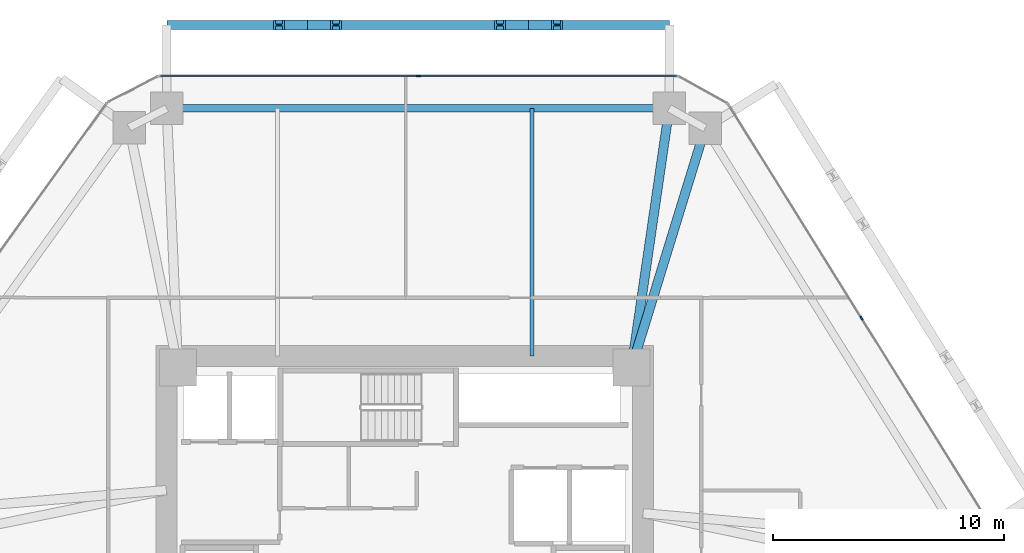
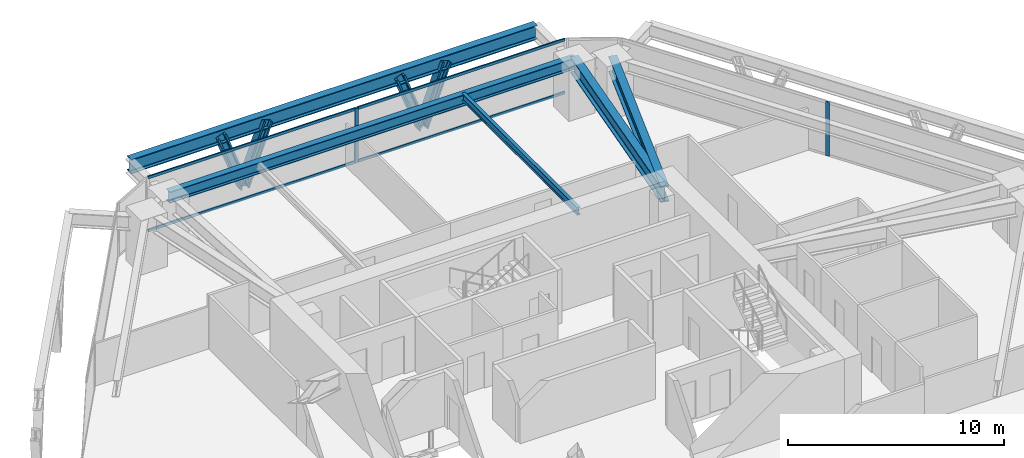
# One storey, part 8 of 14: 10 members, 5 beams, 2 elements without a shape of their own.
"""IFC4 building model written with IfcOpenShell, lengths in metres."""

import ifcopenshell
import ifcopenshell.guid

model = None  # the IFC model being written
_history = None  # IfcOwnerHistory: only IFC2X3 demands one
_inside = {}  # id of a spatial element -> (the spatial element, [elements in it])
_under = {}  # id of a project, library or spatial element -> (it, [spatial elements below it])
_declared = {}  # id of a project -> (the project, [libraries it declares])
_typed = {}  # id of a type object -> (the type object, [elements of that type])
_made_of = {}  # id of a material, layer set ... -> (it, [elements and type objects made of it])


def new_model(schema):
    """Start an empty IFC model of exactly this schema.

    Asked for "IFC4X3", IfcOpenShell would pick the latest addendum, in which some entities
    have other attributes; the version numbers below select the first issue.
    IFC2X3 requires an IfcOwnerHistory on every rooted entity: one is made here for all.
    """
    global model, _history
    if schema == "IFC4X3":
        model = ifcopenshell.file(schema_version=(4, 3, 0, 0))
    else:
        model = ifcopenshell.file(schema=schema)
    _inside.clear()
    _under.clear()
    _declared.clear()
    _typed.clear()
    _made_of.clear()
    _history = None
    if model.schema == "IFC2X3":
        org = make("IfcOrganization", Name="unknown")
        user = make(
            "IfcPersonAndOrganization",
            ThePerson=make("IfcPerson", FamilyName="unknown"),
            TheOrganization=org,
        )
        app = make(
            "IfcApplication",
            ApplicationDeveloper=org,
            Version="unknown",
            ApplicationFullName="unknown",
            ApplicationIdentifier="unknown",
        )
        _history = make(
            "IfcOwnerHistory",
            OwningUser=user,
            OwningApplication=app,
            ChangeAction="ADDED",
            CreationDate=0,
        )
    return model


def make(cls, **values):
    """One entity of the class cls with the attributes given. An attribute that is None is left unset."""
    return model.create_entity(
        cls, **{name: value for name, value in values.items() if value is not None}
    )


def rooted(cls, **values):
    """An entity with a GlobalId (a new one), such as an element, a storey or a relation."""
    return make(cls, GlobalId=ifcopenshell.guid.new(), OwnerHistory=_history, **values)


def si_unit(unit_type, name, prefix=None):
    """IfcSIUnit, for example si_unit("LENGTHUNIT", "METRE", prefix="MILLI")."""
    return make("IfcSIUnit", UnitType=unit_type, Prefix=prefix, Name=name)


def assignment(units):
    """IfcUnitAssignment: the units of a project."""
    return None if units is None else make("IfcUnitAssignment", Units=units)


def point(xyz):
    """IfcCartesianPoint."""
    return None if xyz is None else make("IfcCartesianPoint", Coordinates=xyz)


def direction(xyz):
    """IfcDirection."""
    return None if xyz is None else make("IfcDirection", DirectionRatios=xyz)


def frame(location, z_axis=None, x_axis=None):
    """IfcAxis2Placement3D, a coordinate frame: its origin and axes. An axis left out is left unset."""
    return make(
        "IfcAxis2Placement3D",
        Location=point(location),
        Axis=direction(z_axis),
        RefDirection=direction(x_axis),
    )


def frame_2d(location, x_axis=None):
    """IfcAxis2Placement2D, a coordinate frame in the plane: its origin and x axis."""
    return make(
        "IfcAxis2Placement2D", Location=point(location), RefDirection=direction(x_axis)
    )


def origin():
    """The frame at (0, 0, 0) with its axes left unset."""
    return frame((0.0, 0.0, 0.0))


def origin_2d():
    """The frame at (0, 0) in the plane with its x axis left unset."""
    return frame_2d((0.0, 0.0))


def place(relative_to, where):
    """IfcLocalPlacement: puts the frame where relative to a parent placement (None: the world)."""
    return make(
        "IfcLocalPlacement", PlacementRelTo=relative_to, RelativePlacement=where
    )


def context(
    kind, dimensions, precision=None, world=None, true_north=None, identifier=None
):
    """IfcGeometricRepresentationContext, for example the 3D "Model" context."""
    return make(
        "IfcGeometricRepresentationContext",
        ContextIdentifier=identifier,
        ContextType=kind,
        CoordinateSpaceDimension=dimensions,
        Precision=precision,
        WorldCoordinateSystem=world,
        TrueNorth=true_north,
    )


def subcontext(parent, identifier, kind, view, scale=None):
    """IfcGeometricRepresentationSubContext, for example "Body" below "Model"."""
    return make(
        "IfcGeometricRepresentationSubContext",
        ContextIdentifier=identifier,
        ContextType=kind,
        ParentContext=parent,
        TargetScale=scale,
        TargetView=view,
    )


def project(units=None, contexts=None):
    """IfcProject with its units and contexts."""
    return rooted(
        "IfcProject",
        Name="project",
        RepresentationContexts=contexts,
        UnitsInContext=assignment(units),
    )


def spatial(cls, under=None, at=None, **own):
    """A site, building, storey or space (cls), placed at a placement, below another one or the project."""
    s = rooted(cls, ObjectPlacement=at, **own)
    if under is not None:
        _under.setdefault(under.id(), (under, []))[1].append(s)
    return s


def profile(cls, at=None, kind="AREA", **sizes):
    """A parametric profile (cls). Its sizes go by their IFC names, for example OverallWidth=200.0."""
    return make(cls, ProfileType=kind, Position=at, **sizes)


def rectangle(**sizes):
    """IfcRectangleProfileDef."""
    return profile("IfcRectangleProfileDef", **sizes)


def i_section(**sizes):
    """IfcIShapeProfileDef."""
    return profile("IfcIShapeProfileDef", **sizes)


def extrude(swept, where, along, depth):
    """IfcExtrudedAreaSolid: the profile swept, set in the frame where, extruded along a direction by depth."""
    return make(
        "IfcExtrudedAreaSolid",
        SweptArea=swept,
        Position=where,
        ExtrudedDirection=direction(along),
        Depth=depth,
    )


def shape(context_of_items, identifier, shape_type, items):
    """IfcShapeRepresentation: the items that make up one representation, for example the "Body"."""
    return make(
        "IfcShapeRepresentation",
        ContextOfItems=context_of_items,
        RepresentationIdentifier=identifier,
        RepresentationType=shape_type,
        Items=items,
    )


def source(mapping_origin, context_of_items, identifier, shape_type, items):
    """IfcRepresentationMap: a shape defined once, which mapped items show again and again."""
    return make(
        "IfcRepresentationMap",
        MappingOrigin=mapping_origin,
        MappedRepresentation=shape(context_of_items, identifier, shape_type, items),
    )


def transform(
    local_origin,
    x_axis=None,
    y_axis=None,
    z_axis=None,
    scale=None,
    scale2=None,
    scale3=None,
    uniform=True,
):
    """IfcCartesianTransformationOperator3D, or its non-uniform kind. x_axis, y_axis, z_axis: its Axis1, 2, 3."""
    if uniform:
        return make(
            "IfcCartesianTransformationOperator3D",
            Axis1=direction(x_axis),
            Axis2=direction(y_axis),
            LocalOrigin=point(local_origin),
            Scale=scale,
            Axis3=direction(z_axis),
        )
    return make(
        "IfcCartesianTransformationOperator3DnonUniform",
        Axis1=direction(x_axis),
        Axis2=direction(y_axis),
        LocalOrigin=point(local_origin),
        Scale=scale,
        Axis3=direction(z_axis),
        Scale2=scale2,
        Scale3=scale3,
    )


def mapped(mapping_source, mapping_target):
    """IfcMappedItem: shows the shape of a source again, moved by a transform."""
    return make(
        "IfcMappedItem", MappingSource=mapping_source, MappingTarget=mapping_target
    )


def material(Name=None, Category=None):
    """IfcMaterial."""
    return make("IfcMaterial", Name=Name, Category=Category)


def layer(
    of_material, thickness, ventilated=None, Name=None, Category=None, Priority=None
):
    """IfcMaterialLayer: one layer of a wall or slab, of a material (None: an air gap)."""
    return make(
        "IfcMaterialLayer",
        Material=of_material,
        LayerThickness=thickness,
        IsVentilated=ventilated,
        Name=Name,
        Category=Category,
        Priority=Priority,
    )


def layer_set(layers, Name=None):
    """IfcMaterialLayerSet."""
    return make("IfcMaterialLayerSet", MaterialLayers=layers, LayerSetName=Name)


def material_profile(
    of_material, cross_section, Name=None, Category=None, Priority=None
):
    """IfcMaterialProfile: a cross section and its material."""
    return make(
        "IfcMaterialProfile",
        Name=Name,
        Material=of_material,
        Profile=cross_section,
        Priority=Priority,
        Category=Category,
    )


def profile_set(profiles, Name=None, composite=None):
    """IfcMaterialProfileSet."""
    return make(
        "IfcMaterialProfileSet",
        Name=Name,
        MaterialProfiles=profiles,
        CompositeProfile=composite,
    )


def made_of(thing, what):
    """Note that an element or type object is made of a material, layer set ...; save() writes the relation."""
    if what is not None:
        _made_of.setdefault(what.id(), (what, []))[1].append(thing)
    return thing


def type_object(cls, material=None, **own):
    """A type object (cls), such as IfcWallType, which elements share."""
    return made_of(rooted(cls, **own), material)


def type_shapes(of_type, sources):
    """Give a type object the sources (RepresentationMaps) that its elements show as mapped items."""
    of_type.RepresentationMaps = sources


def element(
    cls,
    number,
    at=None,
    inside=None,
    cuts=None,
    type_object=None,
    material=None,
    context=None,
    identifier="Body",
    shape_type=None,
    held_by="IfcProductDefinitionShape",
    body=None,
    shapes=None,
    **own,
):
    """One element of the class cls, such as IfcWall. Its Tag is "e" and its number.

    at: its placement. inside: the storey or other place that contains it. cuts: it is an
    opening in that element (IfcRelVoidsElement). A single representation is given by context,
    identifier, shape_type and body (its items); several are given by shapes. held_by: the class
    of the entity that holds the representations. save() writes the other relations.
    """
    e = rooted(cls, Tag="e%d" % number, ObjectPlacement=at, **own)
    if body is not None:
        shapes = [shape(context, identifier, shape_type, body)]
    if shapes is not None:
        e.Representation = make(held_by, Representations=shapes)
    if inside is not None:
        _inside.setdefault(inside.id(), (inside, []))[1].append(e)
    if cuts is not None:
        rooted(
            "IfcRelVoidsElement", RelatingBuildingElement=cuts, RelatedOpeningElement=e
        )
    if type_object is not None:
        _typed.setdefault(type_object.id(), (type_object, []))[1].append(e)
    return made_of(e, material)


def aggregate(whole, parts):
    """IfcRelAggregates: a whole, such as a stair, and the parts it consists of."""
    return rooted("IfcRelAggregates", RelatingObject=whole, RelatedObjects=parts)


def save(model, path):
    """Write the relations noted so far, then the file.

    IfcRelAggregates (storeys below a building ...), IfcRelContainedInSpatialStructure (elements
    in a storey), IfcRelDefinesByType, IfcRelAssociatesMaterial and IfcRelDeclares: one each for
    every whole, place, type object, material and project.
    """
    for whole, parts in _under.values():
        aggregate(whole, parts)
    for where, things in _inside.values():
        rooted(
            "IfcRelContainedInSpatialStructure",
            RelatedElements=things,
            RelatingStructure=where,
        )
    for kind, things in _typed.values():
        rooted("IfcRelDefinesByType", RelatedObjects=things, RelatingType=kind)
    for what, things in _made_of.values():
        rooted("IfcRelAssociatesMaterial", RelatedObjects=things, RelatingMaterial=what)
    for by, libraries in _declared.values():
        rooted("IfcRelDeclares", RelatingContext=by, RelatedDefinitions=libraries)
    model.write(path)


model = new_model("IFC4")

# Units and contexts
model_context = context("Model", 3, precision=1e-05, world=origin(), true_north=direction((0.0, 1.0)))
body_context = subcontext(model_context, "Body", "Model", "MODEL_VIEW")
ifc_project = project(units=[si_unit("LENGTHUNIT", "METRE"), si_unit("AREAUNIT", "SQUARE_METRE"), si_unit("VOLUMEUNIT", "CUBIC_METRE"), si_unit("PLANEANGLEUNIT", "RADIAN"), si_unit("MASSUNIT", "GRAM", prefix="KILO")], contexts=[model_context])

# Site, building, storey
site_placement = place(None, origin())
site = spatial("IfcSite", under=ifc_project, at=site_placement, CompositionType="ELEMENT")
building_placement = place(site_placement, origin())
building = spatial("IfcBuilding", under=site, at=building_placement, Name="Durnholm Broadcast Tower", CompositionType="ELEMENT")
storey_placement = place(building_placement, frame((0.0, 0.0, 35.699951171875)))
storey = spatial("IfcBuildingStorey", under=building, at=storey_placement, Name="L07", CompositionType="ELEMENT", Elevation=35.699951171875)

# Beams
ifc_material_1 = material(Name="Steel ASTM A992 Grade 50", Category="steel")
ifc_material_profile_1 = material_profile(ifc_material_1, i_section(OverallWidth=0.3291015625, OverallDepth=0.635009765625, WebThickness=0.017822265625, FlangeThickness=0.031005859375, FilletRadius=0.02783203125, at=origin_2d()), Name="W24X162")
ifc_profile_set_1 = profile_set([ifc_material_profile_1], Name="Steel ASTM A992 Grade 50")
beam_type_1 = type_object("IfcBeamType", Name="STL-SP-W24X162", PredefinedType="SPANDREL", material=ifc_profile_set_1)
shared_shape_1 = source(origin(), body_context, "Body", "SweptSolid", [
    extrude(i_section(OverallWidth=0.3291015625, OverallDepth=0.635009765625, WebThickness=0.017822265625, FlangeThickness=0.031005859375, FilletRadius=0.02783203125, at=origin_2d()), origin(), (0.0, 0.0, 1.0), 21.7138671875),
])
type_shapes(beam_type_1, [shared_shape_1])
beam_1_placement = place(storey_placement, frame((-10.28271484375, 19.0, 2.7275390625), z_axis=(1.0, 0.0, 0.0), x_axis=(0.0, 1.0, 0.0)))
element("IfcBeam", 1, at=beam_1_placement, inside=storey, type_object=beam_type_1, Name="L07 perimeter spandrel girder 05", PredefinedType="SPANDREL", context=body_context, shape_type="MappedRepresentation", body=[
    mapped(shared_shape_1, transform((0.0, 0.0, 0.0), x_axis=(1.0, 0.0, 0.0), y_axis=(0.0, 1.0, 0.0), z_axis=(0.0, 0.0, 1.0), scale=1.0)),
])
ifc_material_profile_2 = material_profile(ifc_material_1, i_section(OverallWidth=0.404052734375, OverallDepth=0.885009765625, WebThickness=0.0244140625, FlangeThickness=0.0439453125, FilletRadius=0.03564453125, at=origin_2d()), Name="W33X291")
ifc_profile_set_2 = profile_set([ifc_material_profile_2], Name="Steel ASTM A992 Grade 50")
beam_type_2 = type_object("IfcBeamType", Name="STL-GR-W33X291", PredefinedType="USERDEFINED", material=ifc_profile_set_2)
shared_shape_2 = source(origin(), body_context, "Body", "SweptSolid", [
    extrude(i_section(OverallWidth=0.404052734375, OverallDepth=0.885009765625, WebThickness=0.0244140625, FlangeThickness=0.0439453125, FilletRadius=0.03564453125, at=origin_2d()), origin(), (0.0, 0.0, 1.0), 11.318115234375),
])
beam_2_placement = place(storey_placement, frame((9.800048828125, 7.800048828125, 2.6025390625), z_axis=(0.144114595679, 0.989561005352, 0.0), x_axis=(-0.989561005352, 0.144114595679, 0.0)))
element("IfcBeam", 2, at=beam_2_placement, inside=storey, type_object=beam_type_2, Name="L07 radial primary floor girder 06", ObjectType="GIRDER", PredefinedType="USERDEFINED", context=body_context, shape_type="MappedRepresentation", body=[
    mapped(shared_shape_2, transform((0.0, 0.0, 0.0), x_axis=(1.0, 0.0, 0.0), y_axis=(0.0, 1.0, 0.0), z_axis=(0.0, 0.0, 1.0), scale=1.0)),
])
shared_shape_3 = source(origin(), body_context, "Body", "SweptSolid", [
    extrude(i_section(OverallWidth=0.404052734375, OverallDepth=0.885009765625, WebThickness=0.0244140625, FlangeThickness=0.0439453125, FilletRadius=0.03564453125, at=origin_2d()), origin(), (0.0, 0.0, 1.0), 10.817138671875),
])
type_shapes(beam_type_2, [shared_shape_2, shared_shape_3])
beam_3_placement = place(storey_placement, frame((9.800048828125, 7.800048828125, 2.6025390625), z_axis=(0.294219068418, 0.955738007918, 0.0), x_axis=(-0.955738007918, 0.294219068418, 0.0)))
element("IfcBeam", 3, at=beam_3_placement, inside=storey, type_object=beam_type_2, Name="L07 radial primary floor girder 07", ObjectType="GIRDER", PredefinedType="USERDEFINED", context=body_context, shape_type="MappedRepresentation", body=[
    mapped(shared_shape_3, transform((0.0, 0.0, 0.0), x_axis=(1.0, 0.0, 0.0), y_axis=(0.0, 1.0, 0.0), z_axis=(0.0, 0.0, 1.0), scale=1.0)),
])
ifc_material_profile_3 = material_profile(ifc_material_1, i_section(OverallWidth=0.180908203125, OverallDepth=0.417236328125, WebThickness=0.010986328125, FlangeThickness=0.018310546875, FilletRadius=0.01904296875, at=origin_2d()), Name="W16X57")
ifc_profile_set_3 = profile_set([ifc_material_profile_3], Name="Steel ASTM A992 Grade 50")
beam_type_3 = type_object("IfcBeamType", Name="STL-BJ-W16X57", PredefinedType="JOIST", material=ifc_profile_set_3)
shared_shape_4 = source(origin(), body_context, "Body", "SweptSolid", [
    extrude(i_section(OverallWidth=0.180908203125, OverallDepth=0.417236328125, WebThickness=0.010986328125, FlangeThickness=0.018310546875, FilletRadius=0.01904296875, at=origin_2d()), origin(), (0.0, 0.0, 1.0), 10.699951171875),
])
type_shapes(beam_type_3, [shared_shape_4])
beam_4_placement = place(storey_placement, frame((5.5, 8.300048828125, 2.83642578125), z_axis=(0.0, 1.0, 0.0), x_axis=(-1.0, 0.0, 0.0)))
element("IfcBeam", 4, at=beam_4_placement, inside=storey, type_object=beam_type_3, Name="L07 secondary floor joist 4.2", PredefinedType="JOIST", context=body_context, shape_type="MappedRepresentation", body=[
    mapped(shared_shape_4, transform((0.0, 0.0, 0.0), x_axis=(1.0, 0.0, 0.0), y_axis=(0.0, 1.0, 0.0), z_axis=(0.0, 0.0, 1.0), scale=1.0)),
])
ifc_material_profile_4 = material_profile(ifc_material_1, i_section(OverallWidth=0.385009765625, OverallDepth=0.802978515625, WebThickness=0.023681640625, FlangeThickness=0.0419921875, FilletRadius=0.032958984375, at=origin_2d()), Name="W30X261")
ifc_profile_set_4 = profile_set([ifc_material_profile_4], Name="Steel ASTM A992 Grade 50")
beam_type_4 = type_object("IfcBeamType", Name="BM-EXO-TIE", PredefinedType="USERDEFINED", material=ifc_profile_set_4)
shared_shape_5 = source(origin(), body_context, "Body", "SweptSolid", [
    extrude(i_section(OverallWidth=0.385009765625, OverallDepth=0.802978515625, WebThickness=0.023681640625, FlangeThickness=0.0419921875, FilletRadius=0.032958984375, at=origin_2d()), origin(), (0.0, 0.0, 1.0), 21.7138671875),
])
type_shapes(beam_type_4, [shared_shape_5])
beam_5_placement = place(storey_placement, frame((11.43115234375, 22.60009765625, 2.30859375), z_axis=(-1.0, 0.0, 0.0), x_axis=(0.0, -1.0, 0.0)))
element("IfcBeam", 5, at=beam_5_placement, inside=storey, type_object=beam_type_4, Name="L07 exoskeleton collector spandrel F4", PredefinedType="SPANDREL", context=body_context, shape_type="MappedRepresentation", body=[
    mapped(shared_shape_5, transform((0.0, 0.0, 0.0), x_axis=(1.0, 0.0, 0.0), y_axis=(0.0, 1.0, 0.0), z_axis=(0.0, 0.0, 1.0), scale=1.0)),
])

# Members
ifc_material_2 = material(Name="Steel ASTM A913 Grade 65", Category="steel")
ifc_material_profile_5 = material_profile(ifc_material_2, i_section(OverallWidth=0.43212890625, OverallDepth=0.497802734375, WebThickness=0.0556640625, FlangeThickness=0.0888671875, FilletRadius=0.030517578125, at=origin_2d()), Name="W14X500")
ifc_profile_set_5 = profile_set([ifc_material_profile_5], Name="Steel ASTM A913 Grade 65")
member_type_1 = type_object("IfcMemberType", Name="STL-DG-W14X500", PredefinedType="BRACE", material=ifc_profile_set_5)
shared_shape_6 = source(origin(), body_context, "Body", "SweptSolid", [
    extrude(i_section(OverallWidth=0.43212890625, OverallDepth=0.497802734375, WebThickness=0.0556640625, FlangeThickness=0.0888671875, FilletRadius=0.030517578125, at=origin_2d()), origin(), (0.0, 0.0, 1.0), 3.523193359375),
])
type_shapes(member_type_1, [shared_shape_6])
for number, where, z_axis, x_axis, name in (
    (6, (5.351318359375, 22.60009765625, -0.991455078125), (0.350219588454, 0.0, 0.936667625075), (0.0, 1.0, 0.0), "L07 stand-off diagrid brace F4.D1.1"),
    (7, (5.351318359375, 22.60009765625, -0.991455078125), (-0.350219588454, 0.0, 0.936667625075), (0.0, -1.0, 0.0), "L07 stand-off diagrid brace F4.D1.2"),
    (8, (-4.202880859375, 22.60009765625, -0.991455078125), (0.350219588454, 0.0, 0.936667625075), (0.0, 1.0, 0.0), "L07 stand-off diagrid brace F4.D2.1"),
    (9, (-4.202880859375, 22.60009765625, -0.991455078125), (-0.350219588454, 0.0, 0.936667625075), (0.0, -1.0, 0.0), "L07 stand-off diagrid brace F4.D2.2"),
):
    element("IfcMember", number, at=place(storey_placement, frame(where, z_axis=z_axis, x_axis=x_axis)), inside=storey, type_object=member_type_1, Name=name, PredefinedType="BRACE", context=body_context, shape_type="MappedRepresentation", body=[
        mapped(shared_shape_6, transform((0.0, 0.0, 0.0), x_axis=(1.0, 0.0, 0.0), y_axis=(0.0, 1.0, 0.0), z_axis=(0.0, 0.0, 1.0), scale=1.0)),
    ])

# Curtain wall, member
ifc_material_3 = material(Name="Aluminium and Solar Control IGU", Category="aluminium")
ifc_layer = layer(ifc_material_3, 0.18994140625)
ifc_layer_set = layer_set([ifc_layer], Name="Aluminium and Solar Control IGU")
curtain_wall_type = type_object("IfcCurtainWallType", Name="CW-SYS-3", PredefinedType="NOTDEFINED", material=ifc_layer_set)
curtain_wall_1_placement = place(storey_placement, origin())
curtain_wall_1 = element("IfcCurtainWall", 10, at=curtain_wall_1_placement, inside=storey, type_object=curtain_wall_type, Name="L07 curtain wall CW-Z12-VIS CW-L07-F04", PredefinedType="NOTDEFINED")
ifc_material_4 = material(Name="Aluminium 6063-T6", Category="aluminium")
ifc_material_profile_6 = material_profile(ifc_material_4, rectangle(XDim=0.070068359375, YDim=0.18994140625, at=origin_2d()), Name="CWM70X190")
ifc_profile_set_6 = profile_set([ifc_material_profile_6], Name="Aluminium 6063-T6")
member_type_2 = type_object("IfcMemberType", Name="CW-SYS-3-MUL", PredefinedType="MULLION", material=ifc_profile_set_6)
shared_shape_7 = source(origin(), body_context, "Body", "SweptSolid", [
    extrude(rectangle(XDim=0.070068359375, YDim=0.18994140625, at=origin_2d()), origin(), (0.0, 0.0, 1.0), 3.06005859375),
])
type_shapes(member_type_2, [shared_shape_7])
member_1_placement = place(storey_placement, frame((0.5869140625, 20.39990234375, 0.0), z_axis=(0.0, 0.0, 1.0), x_axis=(0.0, 1.0, 0.0)))
member_1 = element("IfcMember", 11, at=member_1_placement, type_object=member_type_2, Name="CW-Z12-VIS mullion 2", PredefinedType="MULLION", context=body_context, shape_type="MappedRepresentation", body=[
    mapped(shared_shape_7, transform((0.0, 0.0, 0.0), x_axis=(1.0, 0.0, 0.0), y_axis=(0.0, 1.0, 0.0), z_axis=(0.0, 0.0, 1.0), scale=1.0)),
])

curtain_wall_2_placement = place(storey_placement, origin())
curtain_wall_2 = element("IfcCurtainWall", 12, at=curtain_wall_2_placement, inside=storey, type_object=curtain_wall_type, Name="L07 curtain wall CW-Z12-VIS CW-L07-F06", PredefinedType="NOTDEFINED")
member_2_placement = place(storey_placement, frame((19.741943359375, 9.93212890625, 0.0), z_axis=(0.0, 0.0, 1.0), x_axis=(0.848875785503, 0.528592376777, 0.0)))
member_2 = element("IfcMember", 13, at=member_2_placement, type_object=member_type_2, Name="CW-Z12-VIS mullion 2", PredefinedType="MULLION", context=body_context, shape_type="MappedRepresentation", body=[
    mapped(shared_shape_7, transform((0.0, 0.0, 0.0), x_axis=(1.0, 0.0, 0.0), y_axis=(0.0, 1.0, 0.0), z_axis=(0.0, 0.0, 1.0), scale=1.0)),
])
aggregate(curtain_wall_2, [member_2])

# Member
ifc_material_profile_7 = material_profile(ifc_material_4, rectangle(XDim=0.070068359375, YDim=0.14990234375, at=origin_2d()), Name="CWT70X150")
ifc_profile_set_7 = profile_set([ifc_material_profile_7], Name="Aluminium 6063-T6")
member_type_3 = type_object("IfcMemberType", Name="CW-SYS-3-TRN", PredefinedType="USERDEFINED", material=ifc_profile_set_7)
shared_shape_8 = source(origin(), body_context, "Body", "SweptSolid", [
    extrude(rectangle(XDim=0.070068359375, YDim=0.14990234375, at=origin_2d()), origin(), (0.0, 0.0, 1.0), 11.10205078125),
])
type_shapes(member_type_3, [shared_shape_8])
member_3_placement = place(storey_placement, frame((-10.55029296875, 20.39990234375, 0.03515625), z_axis=(1.0, 0.0, 0.0), x_axis=(0.0, 1.0, 0.0)))
member_3 = element("IfcMember", 14, at=member_3_placement, type_object=member_type_3, Name="CW-Z12-VIS transom 1.1", ObjectType="TRANSOM", PredefinedType="USERDEFINED", context=body_context, shape_type="MappedRepresentation", body=[
    mapped(shared_shape_8, transform((0.0, 0.0, 0.0), x_axis=(1.0, 0.0, 0.0), y_axis=(0.0, 1.0, 0.0), z_axis=(0.0, 0.0, 1.0), scale=1.0)),
])

member_4_placement = place(storey_placement, frame((-10.55029296875, 20.39990234375, 3.025146484375), z_axis=(1.0, 0.0, 0.0), x_axis=(0.0, 1.0, 0.0)))
member_4 = element("IfcMember", 15, at=member_4_placement, type_object=member_type_3, Name="CW-Z12-VIS transom 1.2", ObjectType="TRANSOM", PredefinedType="USERDEFINED", context=body_context, shape_type="MappedRepresentation", body=[
    mapped(shared_shape_8, transform((0.0, 0.0, 0.0), x_axis=(1.0, 0.0, 0.0), y_axis=(0.0, 1.0, 0.0), z_axis=(0.0, 0.0, 1.0), scale=1.0)),
])

member_5_placement = place(storey_placement, frame((0.621826171875, 20.39990234375, 0.03515625), z_axis=(1.0, 0.0, 0.0), x_axis=(0.0, 1.0, 0.0)))
member_5 = element("IfcMember", 16, at=member_5_placement, type_object=member_type_3, Name="CW-Z12-VIS transom 2.1", ObjectType="TRANSOM", PredefinedType="USERDEFINED", context=body_context, shape_type="MappedRepresentation", body=[
    mapped(shared_shape_8, transform((0.0, 0.0, 0.0), x_axis=(1.0, 0.0, 0.0), y_axis=(0.0, 1.0, 0.0), z_axis=(0.0, 0.0, 1.0), scale=1.0)),
])

member_6_placement = place(storey_placement, frame((0.621826171875, 20.39990234375, 3.025146484375), z_axis=(1.0, 0.0, 0.0), x_axis=(0.0, 1.0, 0.0)))
member_6 = element("IfcMember", 17, at=member_6_placement, type_object=member_type_3, Name="CW-Z12-VIS transom 2.2", ObjectType="TRANSOM", PredefinedType="USERDEFINED", context=body_context, shape_type="MappedRepresentation", body=[
    mapped(shared_shape_8, transform((0.0, 0.0, 0.0), x_axis=(1.0, 0.0, 0.0), y_axis=(0.0, 1.0, 0.0), z_axis=(0.0, 0.0, 1.0), scale=1.0)),
])

aggregate(curtain_wall_1, [member_1, member_3, member_4, member_5, member_6])

save(model, "model.ifc")
